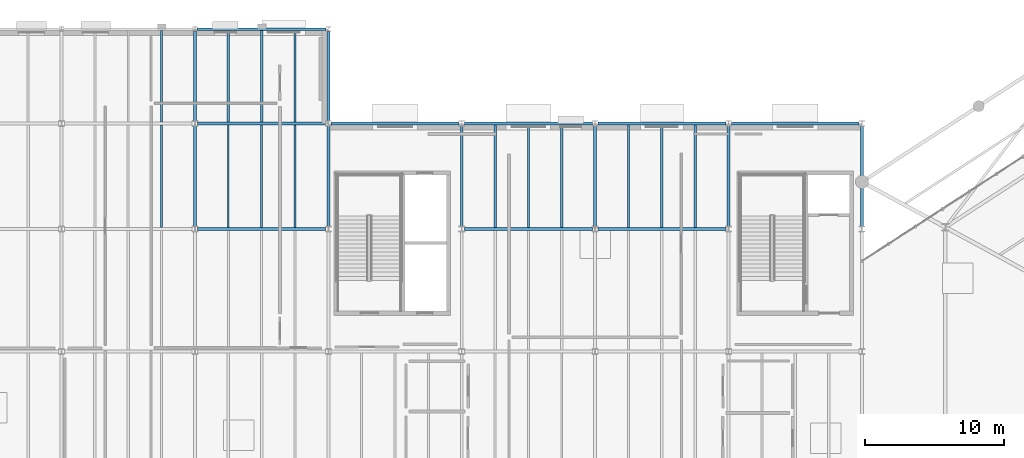
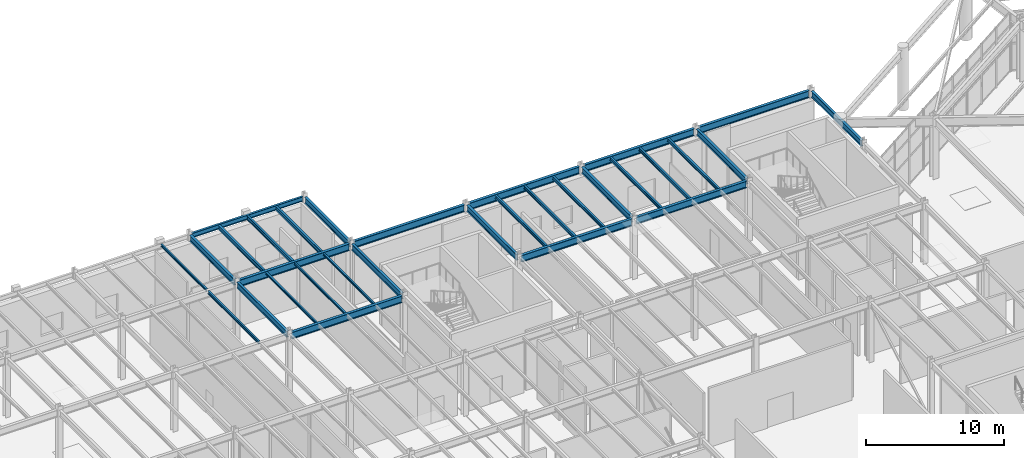
# One storey, part 26 of 70: 31 beams.
"""IFC4 building model written with IfcOpenShell, lengths in metres."""

from ifc_helpers import new_model, si_unit, direction, frame, origin, origin_2d, place, context, subcontext, project, spatial, i_section, extrude, material, material_profile, profile_set, type_object, element, save


model = new_model("IFC4")

# Units and contexts
model_context = context("Model", 3, precision=1e-05, world=origin(), true_north=direction((0.0, 1.0)))
body_context = subcontext(model_context, "Body", "Model", "MODEL_VIEW")
ifc_project = project(units=[si_unit("LENGTHUNIT", "METRE"), si_unit("AREAUNIT", "SQUARE_METRE"), si_unit("VOLUMEUNIT", "CUBIC_METRE"), si_unit("PLANEANGLEUNIT", "RADIAN"), si_unit("MASSUNIT", "GRAM", prefix="KILO")], contexts=[model_context])

# Site, building, storey
site_placement = place(None, origin())
site = spatial("IfcSite", under=ifc_project, at=site_placement, CompositionType="ELEMENT")
building_placement = place(site_placement, origin())
building = spatial("IfcBuilding", under=site, at=building_placement, Name="Sarnbrook Museum", CompositionType="ELEMENT")
storey_placement = place(building_placement, origin())
storey = spatial("IfcBuildingStorey", under=building, at=storey_placement, Name="L00", CompositionType="ELEMENT", Elevation=0.0)

# Beams
ifc_material = material(Name="Structural Steel Grade 300PLUS (AS/NZS 3679.1, fy = 280 MPa for 17 < t <= 40 mm, 300 MPa for t <= 17 mm)", Category="steel")
ifc_material_profile_1 = material_profile(ifc_material, i_section(OverallWidth=0.208984375, OverallDepth=0.532958984375, WebThickness=0.01025390625, FlangeThickness=0.015625, FilletRadius=0.013916015625, at=origin_2d()), Name="530UB92.4")
ifc_profile_set_1 = profile_set([ifc_material_profile_1], Name="Structural Steel Grade 300PLUS (AS/NZS 3679.1, fy = 280 MPa for 17 < t <= 40 mm, 300 MPa for t <= 17 mm)")
beam_type_1 = type_object("IfcBeamType", Name="BM-UB530", PredefinedType="BEAM", material=ifc_profile_set_1)
beam_1_placement = place(storey_placement, frame((71.199951171875, 100.990966796875, 5.013427734375), z_axis=(0.0, 1.0, 0.0), x_axis=(-1.0, 0.0, 0.0)))
element("IfcBeam", 1, at=beam_1_placement, inside=storey, type_object=beam_type_1, Name="Girder 8:M-N L00", PredefinedType="BEAM", context=body_context, shape_type="SweptSolid", body=[
    extrude(i_section(OverallWidth=0.208984375, OverallDepth=0.532958984375, WebThickness=0.01025390625, FlangeThickness=0.015625, FilletRadius=0.013916015625, at=origin_2d()), origin(), (0.0, 0.0, 1.0), 7.218017578125),
])
beam_2_placement = place(storey_placement, frame((71.199951171875, 108.591064453125, 5.013427734375), z_axis=(0.0, 1.0, 0.0), x_axis=(-1.0, 0.0, 0.0)))
element("IfcBeam", 2, at=beam_2_placement, inside=storey, type_object=beam_type_1, Name="Girder 8:N-P L00", PredefinedType="BEAM", context=body_context, shape_type="SweptSolid", body=[
    extrude(i_section(OverallWidth=0.208984375, OverallDepth=0.532958984375, WebThickness=0.01025390625, FlangeThickness=0.015625, FilletRadius=0.013916015625, at=origin_2d()), origin(), (0.0, 0.0, 1.0), 6.445556640625),
])
beam_3_placement = place(storey_placement, frame((80.800048828125, 100.990966796875, 5.013427734375), z_axis=(0.0, 1.0, 0.0), x_axis=(-1.0, 0.0, 0.0)))
element("IfcBeam", 3, at=beam_3_placement, inside=storey, type_object=beam_type_1, Name="Girder 9:M-N L00", PredefinedType="BEAM", context=body_context, shape_type="SweptSolid", body=[
    extrude(i_section(OverallWidth=0.208984375, OverallDepth=0.532958984375, WebThickness=0.01025390625, FlangeThickness=0.015625, FilletRadius=0.013916015625, at=origin_2d()), origin(), (0.0, 0.0, 1.0), 7.218017578125),
])
beam_4_placement = place(storey_placement, frame((80.800048828125, 108.591064453125, 5.013427734375), z_axis=(0.0, 1.0, 0.0), x_axis=(-1.0, 0.0, 0.0)))
element("IfcBeam", 4, at=beam_4_placement, inside=storey, type_object=beam_type_1, Name="Girder 9:N-P L00", PredefinedType="BEAM", context=body_context, shape_type="SweptSolid", body=[
    extrude(i_section(OverallWidth=0.208984375, OverallDepth=0.532958984375, WebThickness=0.01025390625, FlangeThickness=0.015625, FilletRadius=0.013916015625, at=origin_2d()), origin(), (0.0, 0.0, 1.0), 6.445556640625),
])
for number, where, z_axis, x_axis, name in (
    (5, (90.39990234375, 100.990966796875, 5.08349609375), (0.0, 1.0, 0.0), (-1.0, 0.0, 0.0), "Girder 10:M-N L00"),
    (6, (100.0, 100.990966796875, 5.08349609375), (0.0, 1.0, 0.0), (-1.0, 0.0, 0.0), "Girder 11:M-N L00"),
    (7, (109.60009765625, 100.990966796875, 5.08349609375), (0.0, 1.0, 0.0), (-1.0, 0.0, 0.0), "Girder 12:M-N L00"),
    (8, (119.199951171875, 100.990966796875, 5.073486328125), (0.0, 1.0, 0.0), (-1.0, 0.0, 0.0), "Girder 13:M-N L00"),
):
    element("IfcBeam", number, at=place(storey_placement, frame(where, z_axis=z_axis, x_axis=x_axis)), inside=storey, type_object=beam_type_1, Name=name, PredefinedType="BEAM", context=body_context, shape_type="SweptSolid", body=[
        extrude(i_section(OverallWidth=0.208984375, OverallDepth=0.532958984375, WebThickness=0.01025390625, FlangeThickness=0.015625, FilletRadius=0.013916015625, at=origin_2d()), origin(), (0.0, 0.0, 1.0), 7.218017578125),
    ])
ifc_material_profile_2 = material_profile(ifc_material, i_section(OverallWidth=0.22900390625, OverallDepth=0.612060546875, WebThickness=0.011962890625, FlangeThickness=0.01953125, FilletRadius=0.013916015625, at=origin_2d()), Name="610UB125")
ifc_profile_set_2 = profile_set([ifc_material_profile_2], Name="Structural Steel Grade 300PLUS (AS/NZS 3679.1, fy = 280 MPa for 17 < t <= 40 mm, 300 MPa for t <= 17 mm)")
beam_type_2 = type_object("IfcBeamType", Name="BM-UB610H", PredefinedType="BEAM", material=ifc_profile_set_2)
beam_5_placement = place(storey_placement, frame((71.39990234375, 100.800048828125, 4.97412109375), z_axis=(1.0, 0.0, 0.0), x_axis=(0.0, 1.0, 0.0)))
element("IfcBeam", 9, at=beam_5_placement, inside=storey, type_object=beam_type_2, Name="Girder M:8-9 L00", PredefinedType="BEAM", context=body_context, shape_type="SweptSolid", body=[
    extrude(i_section(OverallWidth=0.22900390625, OverallDepth=0.612060546875, WebThickness=0.011962890625, FlangeThickness=0.01953125, FilletRadius=0.013916015625, at=origin_2d()), origin(), (0.0, 0.0, 1.0), 9.2001953125),
])
for number, where, z_axis, x_axis, name in (
    (10, (90.60009765625, 100.800048828125, 5.0439453125), (1.0, 0.0, 0.0), (0.0, 1.0, 0.0), "Girder M:10-11 L00"),
    (11, (100.199951171875, 100.800048828125, 5.0439453125), (1.0, 0.0, 0.0), (0.0, 1.0, 0.0), "Girder M:11-12 L00"),
):
    element("IfcBeam", number, at=place(storey_placement, frame(where, z_axis=z_axis, x_axis=x_axis)), inside=storey, type_object=beam_type_2, Name=name, PredefinedType="BEAM", context=body_context, shape_type="SweptSolid", body=[
        extrude(i_section(OverallWidth=0.22900390625, OverallDepth=0.612060546875, WebThickness=0.011962890625, FlangeThickness=0.01953125, FilletRadius=0.013916015625, at=origin_2d()), origin(), (0.0, 0.0, 1.0), 9.199951171875),
    ])
beam_6_placement = place(storey_placement, frame((71.39990234375, 108.39990234375, 4.97412109375), z_axis=(1.0, 0.0, 0.0), x_axis=(0.0, 1.0, 0.0)))
element("IfcBeam", 12, at=beam_6_placement, inside=storey, type_object=beam_type_2, Name="Girder N:8-9 L00", PredefinedType="BEAM", context=body_context, shape_type="SweptSolid", body=[
    extrude(i_section(OverallWidth=0.22900390625, OverallDepth=0.612060546875, WebThickness=0.011962890625, FlangeThickness=0.01953125, FilletRadius=0.013916015625, at=origin_2d()), origin(), (0.0, 0.0, 1.0), 9.2001953125),
])
for number, where, z_axis, x_axis, name in (
    (13, (81.0, 108.39990234375, 5.0439453125), (1.0, 0.0, 0.0), (0.0, 1.0, 0.0), "Girder N:9-10 L00"),
    (14, (90.60009765625, 108.39990234375, 5.0439453125), (1.0, 0.0, 0.0), (0.0, 1.0, 0.0), "Girder N:10-11 L00"),
    (15, (100.199951171875, 108.39990234375, 5.0439453125), (1.0, 0.0, 0.0), (0.0, 1.0, 0.0), "Girder N:11-12 L00"),
    (16, (109.800048828125, 108.39990234375, 5.0439453125), (1.0, 0.0, 0.0), (0.0, 1.0, 0.0), "Girder N:12-13 L00"),
):
    element("IfcBeam", number, at=place(storey_placement, frame(where, z_axis=z_axis, x_axis=x_axis)), inside=storey, type_object=beam_type_2, Name=name, PredefinedType="BEAM", context=body_context, shape_type="SweptSolid", body=[
        extrude(i_section(OverallWidth=0.22900390625, OverallDepth=0.612060546875, WebThickness=0.011962890625, FlangeThickness=0.01953125, FilletRadius=0.013916015625, at=origin_2d()), origin(), (0.0, 0.0, 1.0), 9.199951171875),
    ])
ifc_material_profile_3 = material_profile(ifc_material, i_section(OverallWidth=0.134033203125, OverallDepth=0.20703125, WebThickness=0.00634765625, FlangeThickness=0.009521484375, FilletRadius=0.0087890625, at=origin_2d()), Name="200UB29.8")
ifc_profile_set_3 = profile_set([ifc_material_profile_3], Name="Structural Steel Grade 300PLUS (AS/NZS 3679.1, fy = 280 MPa for 17 < t <= 40 mm, 300 MPa for t <= 17 mm)")
beam_type_3 = type_object("IfcBeamType", Name="JS-UB200", PredefinedType="JOIST", material=ifc_profile_set_3)
beam_7_placement = place(storey_placement, frame((68.800048828125, 108.514404296875, 5.176513671875), z_axis=(0.0, 1.0, 0.0), x_axis=(-1.0, 0.0, 0.0)))
element("IfcBeam", 17, at=beam_7_placement, inside=storey, type_object=beam_type_3, Name="Composite Floor Joist 7N-3 L00", PredefinedType="JOIST", context=body_context, shape_type="SweptSolid", body=[
    extrude(i_section(OverallWidth=0.134033203125, OverallDepth=0.20703125, WebThickness=0.00634765625, FlangeThickness=0.009521484375, FilletRadius=0.0087890625, at=origin_2d()), origin(), (0.0, 0.0, 1.0), 6.5966796875),
])
for number, where, z_axis, x_axis, name in (
    (18, (73.60009765625, 100.91455078125, 5.176513671875), (0.0, 1.0, 0.0), (-1.0, 0.0, 0.0), "Composite Floor Joist 8M-1 L00"),
    (19, (76.0, 100.91455078125, 5.176513671875), (0.0, 1.0, 0.0), (-1.0, 0.0, 0.0), "Composite Floor Joist 8M-2 L00"),
    (20, (78.39990234375, 100.91455078125, 5.176513671875), (0.0, 1.0, 0.0), (-1.0, 0.0, 0.0), "Composite Floor Joist 8M-3 L00"),
):
    element("IfcBeam", number, at=place(storey_placement, frame(where, z_axis=z_axis, x_axis=x_axis)), inside=storey, type_object=beam_type_3, Name=name, PredefinedType="JOIST", context=body_context, shape_type="SweptSolid", body=[
        extrude(i_section(OverallWidth=0.134033203125, OverallDepth=0.20703125, WebThickness=0.00634765625, FlangeThickness=0.009521484375, FilletRadius=0.0087890625, at=origin_2d()), origin(), (0.0, 0.0, 1.0), 7.370849609375),
    ])
ifc_material_profile_4 = material_profile(ifc_material, i_section(OverallWidth=0.14599609375, OverallDepth=0.256103515625, WebThickness=0.00634765625, FlangeThickness=0.010986328125, FilletRadius=0.0087890625, at=origin_2d()), Name="250UB37.3")
ifc_profile_set_4 = profile_set([ifc_material_profile_4], Name="Structural Steel Grade 300PLUS (AS/NZS 3679.1, fy = 280 MPa for 17 < t <= 40 mm, 300 MPa for t <= 17 mm)")
beam_type_4 = type_object("IfcBeamType", Name="JS-UB250", PredefinedType="JOIST", material=ifc_profile_set_4)
beam_8_placement = place(storey_placement, frame((68.800048828125, 100.91455078125, 5.152099609375), z_axis=(0.0, 1.0, 0.0), x_axis=(-1.0, 0.0, 0.0)))
element("IfcBeam", 21, at=beam_8_placement, inside=storey, type_object=beam_type_4, Name="Composite Floor Joist 7M-3 L00", PredefinedType="JOIST", context=body_context, shape_type="SweptSolid", body=[
    extrude(i_section(OverallWidth=0.14599609375, OverallDepth=0.256103515625, WebThickness=0.00634765625, FlangeThickness=0.010986328125, FilletRadius=0.0087890625, at=origin_2d()), origin(), (0.0, 0.0, 1.0), 7.370849609375),
])
ifc_material_profile_5 = material_profile(ifc_material, i_section(OverallWidth=0.1650390625, OverallDepth=0.303955078125, WebThickness=0.006103515625, FlangeThickness=0.01025390625, FilletRadius=0.011474609375, at=origin_2d()), Name="310UB40.4")
ifc_profile_set_5 = profile_set([ifc_material_profile_5], Name="Structural Steel Grade 300PLUS (AS/NZS 3679.1, fy = 280 MPa for 17 < t <= 40 mm, 300 MPa for t <= 17 mm)")
beam_type_5 = type_object("IfcBeamType", Name="JS-UB310", PredefinedType="JOIST", material=ifc_profile_set_5)
for number, where, z_axis, x_axis, name in (
    (22, (102.39990234375, 100.91455078125, 5.197998046875), (0.0, 1.0, 0.0), (-1.0, 0.0, 0.0), "Composite Floor Joist 11M-1 L00"),
    (23, (104.800048828125, 100.91455078125, 5.197998046875), (0.0, 1.0, 0.0), (-1.0, 0.0, 0.0), "Composite Floor Joist 11M-2 L00"),
    (24, (107.199951171875, 100.91455078125, 5.197998046875), (0.0, 1.0, 0.0), (-1.0, 0.0, 0.0), "Composite Floor Joist 11M-3 L00"),
):
    element("IfcBeam", number, at=place(storey_placement, frame(where, z_axis=z_axis, x_axis=x_axis)), inside=storey, type_object=beam_type_5, Name=name, PredefinedType="JOIST", context=body_context, shape_type="SweptSolid", body=[
        extrude(i_section(OverallWidth=0.1650390625, OverallDepth=0.303955078125, WebThickness=0.006103515625, FlangeThickness=0.01025390625, FilletRadius=0.011474609375, at=origin_2d()), origin(), (0.0, 0.0, 1.0), 7.370849609375),
    ])
ifc_material_profile_6 = material_profile(ifc_material, i_section(OverallWidth=0.166015625, OverallDepth=0.306884765625, WebThickness=0.006591796875, FlangeThickness=0.01171875, FilletRadius=0.011474609375, at=origin_2d()), Name="310UB46.2")
ifc_profile_set_6 = profile_set([ifc_material_profile_6], Name="Structural Steel Grade 300PLUS (AS/NZS 3679.1, fy = 280 MPa for 17 < t <= 40 mm, 300 MPa for t <= 17 mm)")
beam_type_6 = type_object("IfcBeamType", Name="JS-UB310H", PredefinedType="JOIST", material=ifc_profile_set_6)
for number, where, z_axis, x_axis, name in (
    (25, (92.800048828125, 100.91455078125, 5.196533203125), (0.0, 1.0, 0.0), (-1.0, 0.0, 0.0), "Composite Floor Joist 10M-1 L00"),
    (26, (95.199951171875, 100.91455078125, 5.196533203125), (0.0, 1.0, 0.0), (-1.0, 0.0, 0.0), "Composite Floor Joist 10M-2 L00"),
    (27, (97.60009765625, 100.91455078125, 5.196533203125), (0.0, 1.0, 0.0), (-1.0, 0.0, 0.0), "Composite Floor Joist 10M-3 L00"),
):
    element("IfcBeam", number, at=place(storey_placement, frame(where, z_axis=z_axis, x_axis=x_axis)), inside=storey, type_object=beam_type_6, Name=name, PredefinedType="JOIST", context=body_context, shape_type="SweptSolid", body=[
        extrude(i_section(OverallWidth=0.166015625, OverallDepth=0.306884765625, WebThickness=0.006591796875, FlangeThickness=0.01171875, FilletRadius=0.011474609375, at=origin_2d()), origin(), (0.0, 0.0, 1.0), 7.370849609375),
    ])
ifc_material_profile_7 = material_profile(ifc_material, i_section(OverallWidth=0.1708984375, OverallDepth=0.35595703125, WebThickness=0.00732421875, FlangeThickness=0.011474609375, FilletRadius=0.011474609375, at=origin_2d()), Name="360UB50.7")
ifc_profile_set_7 = profile_set([ifc_material_profile_7], Name="Structural Steel Grade 300PLUS (AS/NZS 3679.1, fy = 280 MPa for 17 < t <= 40 mm, 300 MPa for t <= 17 mm)")
beam_type_7 = type_object("IfcBeamType", Name="JS-UB360", PredefinedType="JOIST", material=ifc_profile_set_7)
for number, where, z_axis, x_axis, name in (
    (28, (73.60009765625, 108.514404296875, 5.10205078125), (0.0, 1.0, 0.0), (-1.0, 0.0, 0.0), "Composite Floor Joist 8N-1 L00"),
    (29, (76.0, 108.514404296875, 5.10205078125), (0.0, 1.0, 0.0), (-1.0, 0.0, 0.0), "Composite Floor Joist 8N-2 L00"),
    (30, (78.39990234375, 108.514404296875, 5.10205078125), (0.0, 1.0, 0.0), (-1.0, 0.0, 0.0), "Composite Floor Joist 8N-3 L00"),
):
    element("IfcBeam", number, at=place(storey_placement, frame(where, z_axis=z_axis, x_axis=x_axis)), inside=storey, type_object=beam_type_7, Name=name, PredefinedType="JOIST", context=body_context, shape_type="SweptSolid", body=[
        extrude(i_section(OverallWidth=0.1708984375, OverallDepth=0.35595703125, WebThickness=0.00732421875, FlangeThickness=0.011474609375, FilletRadius=0.011474609375, at=origin_2d()), origin(), (0.0, 0.0, 1.0), 6.5966796875),
    ])
ifc_material_profile_8 = material_profile(ifc_material, i_section(OverallWidth=0.177978515625, OverallDepth=0.406005859375, WebThickness=0.0078125, FlangeThickness=0.0126953125, FilletRadius=0.011474609375, at=origin_2d()), Name="410UB59.7")
ifc_profile_set_8 = profile_set([ifc_material_profile_8], Name="Structural Steel Grade 300PLUS (AS/NZS 3679.1, fy = 280 MPa for 17 < t <= 40 mm, 300 MPa for t <= 17 mm)")
beam_type_8 = type_object("IfcBeamType", Name="SP-UB410", PredefinedType="SPANDREL", material=ifc_profile_set_8)
beam_9_placement = place(storey_placement, frame((71.35546875, 115.199951171875, 5.076904296875), z_axis=(1.0, 0.0, 0.0), x_axis=(0.0, 1.0, 0.0)))
element("IfcBeam", 31, at=beam_9_placement, inside=storey, type_object=beam_type_8, Name="Girder P:8-9 L00", PredefinedType="SPANDREL", context=body_context, shape_type="SweptSolid", body=[
    extrude(i_section(OverallWidth=0.177978515625, OverallDepth=0.406005859375, WebThickness=0.0078125, FlangeThickness=0.0126953125, FilletRadius=0.011474609375, at=origin_2d()), origin(), (0.0, 0.0, 1.0), 9.2890625),
])

save(model, "model.ifc")
